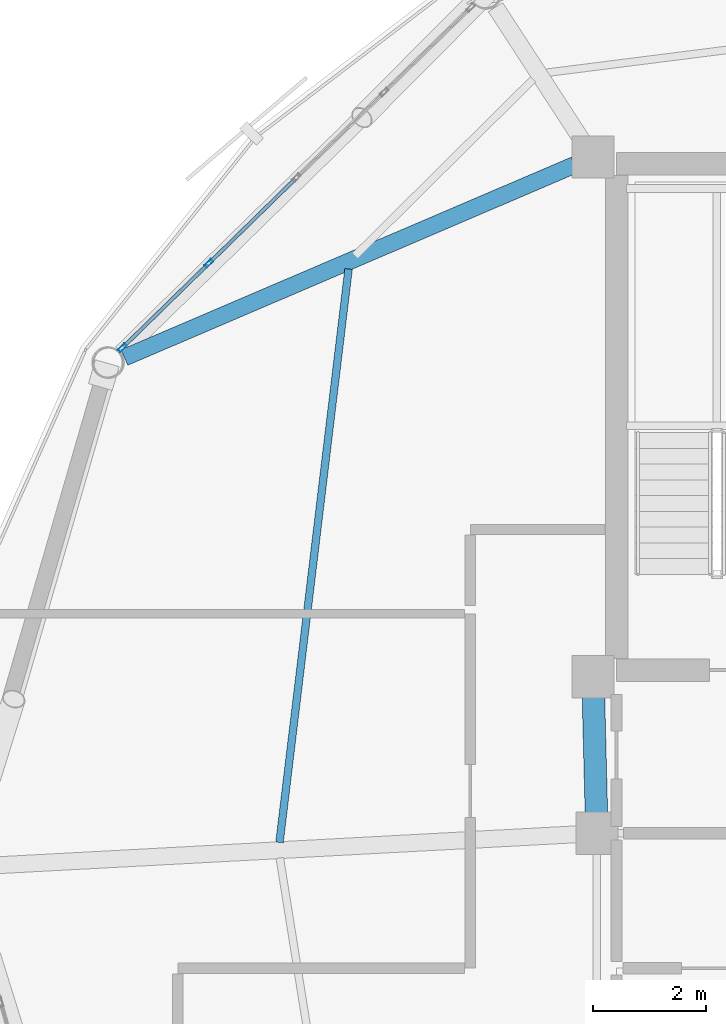
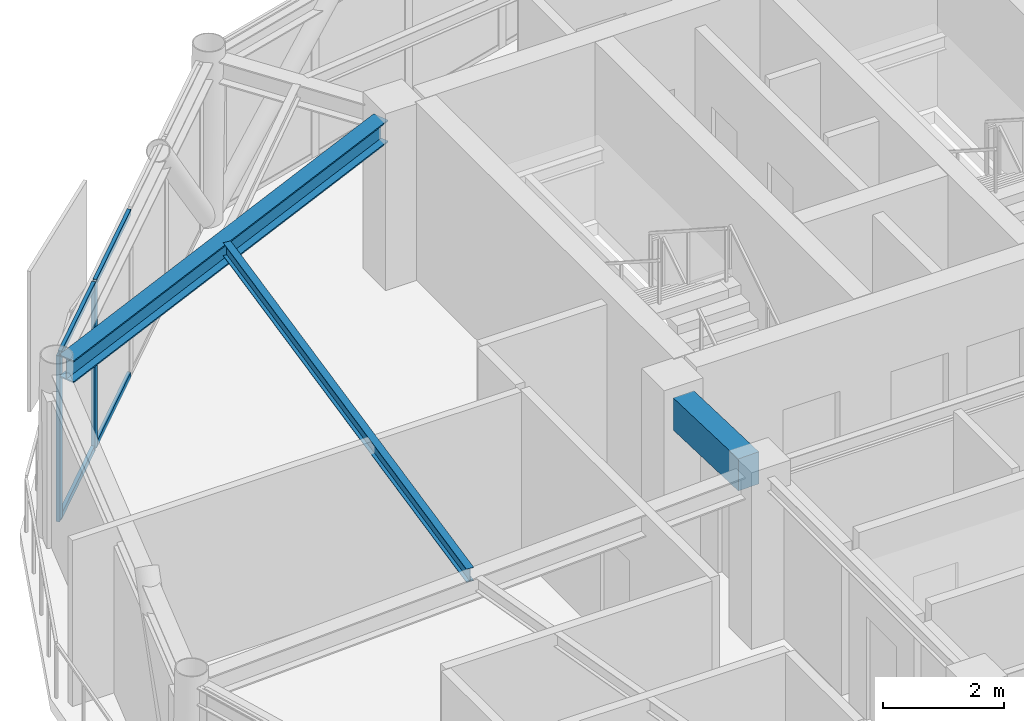
# One storey, part 12 of 27: 6 members, 3 beams, 1 element without a shape of its own.
"""IFC4 building model written with IfcOpenShell, lengths in metres."""

import ifcopenshell
import ifcopenshell.guid

model = None  # the IFC model being written
_history = None  # IfcOwnerHistory: only IFC2X3 demands one
_inside = {}  # id of a spatial element -> (the spatial element, [elements in it])
_under = {}  # id of a project, library or spatial element -> (it, [spatial elements below it])
_declared = {}  # id of a project -> (the project, [libraries it declares])
_typed = {}  # id of a type object -> (the type object, [elements of that type])
_made_of = {}  # id of a material, layer set ... -> (it, [elements and type objects made of it])


def new_model(schema):
    """Start an empty IFC model of exactly this schema.

    Asked for "IFC4X3", IfcOpenShell would pick the latest addendum, in which some entities
    have other attributes; the version numbers below select the first issue.
    IFC2X3 requires an IfcOwnerHistory on every rooted entity: one is made here for all.
    """
    global model, _history
    if schema == "IFC4X3":
        model = ifcopenshell.file(schema_version=(4, 3, 0, 0))
    else:
        model = ifcopenshell.file(schema=schema)
    _inside.clear()
    _under.clear()
    _declared.clear()
    _typed.clear()
    _made_of.clear()
    _history = None
    if model.schema == "IFC2X3":
        org = make("IfcOrganization", Name="unknown")
        user = make(
            "IfcPersonAndOrganization",
            ThePerson=make("IfcPerson", FamilyName="unknown"),
            TheOrganization=org,
        )
        app = make(
            "IfcApplication",
            ApplicationDeveloper=org,
            Version="unknown",
            ApplicationFullName="unknown",
            ApplicationIdentifier="unknown",
        )
        _history = make(
            "IfcOwnerHistory",
            OwningUser=user,
            OwningApplication=app,
            ChangeAction="ADDED",
            CreationDate=0,
        )
    return model


def make(cls, **values):
    """One entity of the class cls with the attributes given. An attribute that is None is left unset."""
    return model.create_entity(
        cls, **{name: value for name, value in values.items() if value is not None}
    )


def rooted(cls, **values):
    """An entity with a GlobalId (a new one), such as an element, a storey or a relation."""
    return make(cls, GlobalId=ifcopenshell.guid.new(), OwnerHistory=_history, **values)


def si_unit(unit_type, name, prefix=None):
    """IfcSIUnit, for example si_unit("LENGTHUNIT", "METRE", prefix="MILLI")."""
    return make("IfcSIUnit", UnitType=unit_type, Prefix=prefix, Name=name)


def assignment(units):
    """IfcUnitAssignment: the units of a project."""
    return None if units is None else make("IfcUnitAssignment", Units=units)


def point(xyz):
    """IfcCartesianPoint."""
    return None if xyz is None else make("IfcCartesianPoint", Coordinates=xyz)


def direction(xyz):
    """IfcDirection."""
    return None if xyz is None else make("IfcDirection", DirectionRatios=xyz)


def frame(location, z_axis=None, x_axis=None):
    """IfcAxis2Placement3D, a coordinate frame: its origin and axes. An axis left out is left unset."""
    return make(
        "IfcAxis2Placement3D",
        Location=point(location),
        Axis=direction(z_axis),
        RefDirection=direction(x_axis),
    )


def frame_2d(location, x_axis=None):
    """IfcAxis2Placement2D, a coordinate frame in the plane: its origin and x axis."""
    return make(
        "IfcAxis2Placement2D", Location=point(location), RefDirection=direction(x_axis)
    )


def origin():
    """The frame at (0, 0, 0) with its axes left unset."""
    return frame((0.0, 0.0, 0.0))


def origin_2d():
    """The frame at (0, 0) in the plane with its x axis left unset."""
    return frame_2d((0.0, 0.0))


def place(relative_to, where):
    """IfcLocalPlacement: puts the frame where relative to a parent placement (None: the world)."""
    return make(
        "IfcLocalPlacement", PlacementRelTo=relative_to, RelativePlacement=where
    )


def context(
    kind, dimensions, precision=None, world=None, true_north=None, identifier=None
):
    """IfcGeometricRepresentationContext, for example the 3D "Model" context."""
    return make(
        "IfcGeometricRepresentationContext",
        ContextIdentifier=identifier,
        ContextType=kind,
        CoordinateSpaceDimension=dimensions,
        Precision=precision,
        WorldCoordinateSystem=world,
        TrueNorth=true_north,
    )


def subcontext(parent, identifier, kind, view, scale=None):
    """IfcGeometricRepresentationSubContext, for example "Body" below "Model"."""
    return make(
        "IfcGeometricRepresentationSubContext",
        ContextIdentifier=identifier,
        ContextType=kind,
        ParentContext=parent,
        TargetScale=scale,
        TargetView=view,
    )


def project(units=None, contexts=None):
    """IfcProject with its units and contexts."""
    return rooted(
        "IfcProject",
        Name="project",
        RepresentationContexts=contexts,
        UnitsInContext=assignment(units),
    )


def spatial(cls, under=None, at=None, **own):
    """A site, building, storey or space (cls), placed at a placement, below another one or the project."""
    s = rooted(cls, ObjectPlacement=at, **own)
    if under is not None:
        _under.setdefault(under.id(), (under, []))[1].append(s)
    return s


def profile(cls, at=None, kind="AREA", **sizes):
    """A parametric profile (cls). Its sizes go by their IFC names, for example OverallWidth=200.0."""
    return make(cls, ProfileType=kind, Position=at, **sizes)


def rectangle(**sizes):
    """IfcRectangleProfileDef."""
    return profile("IfcRectangleProfileDef", **sizes)


def hollow_rectangle(**sizes):
    """IfcRectangleHollowProfileDef."""
    return profile("IfcRectangleHollowProfileDef", **sizes)


def i_section(**sizes):
    """IfcIShapeProfileDef."""
    return profile("IfcIShapeProfileDef", **sizes)


def extrude(swept, where, along, depth):
    """IfcExtrudedAreaSolid: the profile swept, set in the frame where, extruded along a direction by depth."""
    return make(
        "IfcExtrudedAreaSolid",
        SweptArea=swept,
        Position=where,
        ExtrudedDirection=direction(along),
        Depth=depth,
    )


def shape(context_of_items, identifier, shape_type, items):
    """IfcShapeRepresentation: the items that make up one representation, for example the "Body"."""
    return make(
        "IfcShapeRepresentation",
        ContextOfItems=context_of_items,
        RepresentationIdentifier=identifier,
        RepresentationType=shape_type,
        Items=items,
    )


def material(Name=None, Category=None):
    """IfcMaterial."""
    return make("IfcMaterial", Name=Name, Category=Category)


def layer(
    of_material, thickness, ventilated=None, Name=None, Category=None, Priority=None
):
    """IfcMaterialLayer: one layer of a wall or slab, of a material (None: an air gap)."""
    return make(
        "IfcMaterialLayer",
        Material=of_material,
        LayerThickness=thickness,
        IsVentilated=ventilated,
        Name=Name,
        Category=Category,
        Priority=Priority,
    )


def layer_set(layers, Name=None):
    """IfcMaterialLayerSet."""
    return make("IfcMaterialLayerSet", MaterialLayers=layers, LayerSetName=Name)


def material_profile(
    of_material, cross_section, Name=None, Category=None, Priority=None
):
    """IfcMaterialProfile: a cross section and its material."""
    return make(
        "IfcMaterialProfile",
        Name=Name,
        Material=of_material,
        Profile=cross_section,
        Priority=Priority,
        Category=Category,
    )


def profile_set(profiles, Name=None, composite=None):
    """IfcMaterialProfileSet."""
    return make(
        "IfcMaterialProfileSet",
        Name=Name,
        MaterialProfiles=profiles,
        CompositeProfile=composite,
    )


def made_of(thing, what):
    """Note that an element or type object is made of a material, layer set ...; save() writes the relation."""
    if what is not None:
        _made_of.setdefault(what.id(), (what, []))[1].append(thing)
    return thing


def type_object(cls, material=None, **own):
    """A type object (cls), such as IfcWallType, which elements share."""
    return made_of(rooted(cls, **own), material)


def element(
    cls,
    number,
    at=None,
    inside=None,
    cuts=None,
    type_object=None,
    material=None,
    context=None,
    identifier="Body",
    shape_type=None,
    held_by="IfcProductDefinitionShape",
    body=None,
    shapes=None,
    **own,
):
    """One element of the class cls, such as IfcWall. Its Tag is "e" and its number.

    at: its placement. inside: the storey or other place that contains it. cuts: it is an
    opening in that element (IfcRelVoidsElement). A single representation is given by context,
    identifier, shape_type and body (its items); several are given by shapes. held_by: the class
    of the entity that holds the representations. save() writes the other relations.
    """
    e = rooted(cls, Tag="e%d" % number, ObjectPlacement=at, **own)
    if body is not None:
        shapes = [shape(context, identifier, shape_type, body)]
    if shapes is not None:
        e.Representation = make(held_by, Representations=shapes)
    if inside is not None:
        _inside.setdefault(inside.id(), (inside, []))[1].append(e)
    if cuts is not None:
        rooted(
            "IfcRelVoidsElement", RelatingBuildingElement=cuts, RelatedOpeningElement=e
        )
    if type_object is not None:
        _typed.setdefault(type_object.id(), (type_object, []))[1].append(e)
    return made_of(e, material)


def aggregate(whole, parts):
    """IfcRelAggregates: a whole, such as a stair, and the parts it consists of."""
    return rooted("IfcRelAggregates", RelatingObject=whole, RelatedObjects=parts)


def save(model, path):
    """Write the relations noted so far, then the file.

    IfcRelAggregates (storeys below a building ...), IfcRelContainedInSpatialStructure (elements
    in a storey), IfcRelDefinesByType, IfcRelAssociatesMaterial and IfcRelDeclares: one each for
    every whole, place, type object, material and project.
    """
    for whole, parts in _under.values():
        aggregate(whole, parts)
    for where, things in _inside.values():
        rooted(
            "IfcRelContainedInSpatialStructure",
            RelatedElements=things,
            RelatingStructure=where,
        )
    for kind, things in _typed.values():
        rooted("IfcRelDefinesByType", RelatedObjects=things, RelatingType=kind)
    for what, things in _made_of.values():
        rooted("IfcRelAssociatesMaterial", RelatedObjects=things, RelatingMaterial=what)
    for by, libraries in _declared.values():
        rooted("IfcRelDeclares", RelatingContext=by, RelatedDefinitions=libraries)
    model.write(path)


model = new_model("IFC4")

# Units and contexts
model_context = context("Model", 3, precision=1e-05, world=origin(), true_north=direction((0.0, 1.0)))
body_context = subcontext(model_context, "Body", "Model", "MODEL_VIEW")
ifc_project = project(units=[si_unit("LENGTHUNIT", "METRE"), si_unit("AREAUNIT", "SQUARE_METRE"), si_unit("VOLUMEUNIT", "CUBIC_METRE"), si_unit("PLANEANGLEUNIT", "RADIAN"), si_unit("MASSUNIT", "GRAM", prefix="KILO")], contexts=[model_context])

# Site, building, storey
site_placement = place(None, origin())
site = spatial("IfcSite", under=ifc_project, at=site_placement, CompositionType="ELEMENT")
building_placement = place(site_placement, origin())
building = spatial("IfcBuilding", under=site, at=building_placement, Name="Varnakorn Sky Granary", CompositionType="ELEMENT")
storey_placement = place(building_placement, frame((0.0, 0.0, 249.0)))
storey = spatial("IfcBuildingStorey", under=building, at=storey_placement, Name="L63", CompositionType="ELEMENT", Elevation=249.0)

# Beams
ifc_material_1 = material(Name="Concrete C50/60", Category="concrete")
ifc_material_profile_1 = material_profile(ifc_material_1, rectangle(XDim=0.39990234375, YDim=0.64990234375, at=origin_2d()), Name="RC 400x650")
ifc_profile_set_1 = profile_set([ifc_material_profile_1], Name="Concrete C50/60")
beam_type_1 = type_object("IfcBeamType", Name="BM-LIN-650", PredefinedType="LINTEL", material=ifc_profile_set_1)
beam_1_placement = place(storey_placement, frame((-2.4111328125, 3.025146484375, 3.034912109375), z_axis=(0.025227817192, -0.999681727971, 0.0), x_axis=(0.999681727971, 0.025227817192, 0.0)))
element("IfcBeam", 1, at=beam_1_placement, inside=storey, type_object=beam_type_1, Name="Core Spine Framing Beam 1 L63", PredefinedType="LINTEL", context=body_context, shape_type="SweptSolid", body=[
    extrude(rectangle(XDim=0.39990234375, YDim=0.64990234375, at=origin_2d()), origin(), (0.0, 0.0, 1.0), 2.071044921875),
])
ifc_material_2 = material(Name="Steel S355JR", Category="steel")
ifc_material_profile_2 = material_profile(ifc_material_2, i_section(OverallWidth=0.300048828125, OverallDepth=0.449951171875, WebThickness=0.013916015625, FlangeThickness=0.02587890625, at=origin_2d()), Name="HE 450 B")
ifc_profile_set_2 = profile_set([ifc_material_profile_2], Name="Steel S355JR")
beam_type_2 = type_object("IfcBeamType", Name="BM-RAD-Z5", PredefinedType="BEAM", material=ifc_profile_set_2)
beam_2_placement = place(storey_placement, frame((-2.746337890625, 12.480224609375, 3.135009765625), z_axis=(-0.919362524676, -0.393411423603, 0.0), x_axis=(0.393411423603, -0.919362524676, 0.0)))
element("IfcBeam", 2, at=beam_2_placement, inside=storey, type_object=beam_type_2, Name="Radial Floor Girder RG06 L63", PredefinedType="BEAM", context=body_context, shape_type="SweptSolid", body=[
    extrude(i_section(OverallWidth=0.300048828125, OverallDepth=0.449951171875, WebThickness=0.013916015625, FlangeThickness=0.02587890625, at=origin_2d()), origin(), (0.0, 0.0, 1.0), 8.70361328125),
])
ifc_material_profile_3 = material_profile(ifc_material_2, i_section(OverallWidth=0.135009765625, OverallDepth=0.27001953125, WebThickness=0.006591796875, FlangeThickness=0.01025390625, at=origin_2d()), Name="IPE 270")
ifc_profile_set_3 = profile_set([ifc_material_profile_3], Name="Steel S355JR")
beam_type_3 = type_object("IfcBeamType", Name="BM-SEC-Z5", PredefinedType="BEAM", material=ifc_profile_set_3)
beam_3_placement = place(storey_placement, frame((-6.763916015625, 10.629150390625, 3.22509765625), z_axis=(-0.119616882578, -0.992820125401, 0.0), x_axis=(0.992820125401, -0.119616882578, 0.0)))
element("IfcBeam", 3, at=beam_3_placement, inside=storey, type_object=beam_type_3, Name="Secondary Floor Chord Beam MSB06 L63", PredefinedType="BEAM", context=body_context, shape_type="SweptSolid", body=[
    extrude(i_section(OverallWidth=0.135009765625, OverallDepth=0.27001953125, WebThickness=0.006591796875, FlangeThickness=0.01025390625, at=origin_2d()), origin(), (0.0, 0.0, 1.0), 10.266357421875),
])

# Curtain wall, members
ifc_material_3 = material(Name="Anodised Bronze Aluminium Alloy 6063-T6", Category="aluminium")
ifc_layer = layer(ifc_material_3, 0.159912109375, Name="Anodised Bronze Aluminium Alloy 6063-T6")
ifc_layer_set = layer_set([ifc_layer], Name="Anodised Bronze Aluminium Alloy 6063-T6")
curtain_wall_type = type_object("IfcCurtainWallType", Name="CW-OFF-1", PredefinedType="USERDEFINED", material=ifc_layer_set)
curtain_wall_placement = place(storey_placement, origin())
curtain_wall = element("IfcCurtainWall", 4, at=curtain_wall_placement, inside=storey, type_object=curtain_wall_type, Name="Unitised Curtain Wall CW6 CW-L63-B05", ObjectType="CURTAIN WALL", PredefinedType="USERDEFINED")
ifc_material_profile_4 = material_profile(ifc_material_3, hollow_rectangle(XDim=0.06494140625, YDim=0.159912109375, WallThickness=0.00341796875, at=origin_2d()), Name="ALU MULL 65x160")
ifc_profile_set_4 = profile_set([ifc_material_profile_4], Name="Anodised Bronze Aluminium Alloy 6063-T6")
member_type_1 = type_object("IfcMemberType", Name="CW-OFF-1-MULL", PredefinedType="MULLION", material=ifc_profile_set_4)
member_1_placement = place(storey_placement, frame((-10.7841796875, 9.22900390625, 0.0), z_axis=(0.0, 0.0, 1.0), x_axis=(-0.698832913663, 0.71528494936, 0.0)))
member_1 = element("IfcMember", 5, at=member_1_placement, type_object=member_type_1, Name="CW6 mullion 1", PredefinedType="MULLION", context=body_context, shape_type="SweptSolid", body=[
    extrude(hollow_rectangle(XDim=0.06494140625, YDim=0.159912109375, WallThickness=0.00341796875, at=origin_2d()), origin(), (0.0, 0.0, 1.0), 3.360107421875),
])
member_2_placement = place(storey_placement, frame((-9.248779296875, 10.72900390625, 0.0), z_axis=(0.0, 0.0, 1.0), x_axis=(-0.698832913663, 0.71528494936, 0.0)))
member_2 = element("IfcMember", 6, at=member_2_placement, type_object=member_type_1, Name="CW6 mullion 2", PredefinedType="MULLION", context=body_context, shape_type="SweptSolid", body=[
    extrude(hollow_rectangle(XDim=0.06494140625, YDim=0.159912109375, WallThickness=0.00341796875, at=origin_2d()), origin(), (0.0, 0.0, 1.0), 3.360107421875),
])
ifc_material_profile_5 = material_profile(ifc_material_3, hollow_rectangle(XDim=0.06494140625, YDim=0.1201171875, WallThickness=0.00341796875, at=origin_2d()), Name="ALU TRAN 65x120")
ifc_profile_set_5 = profile_set([ifc_material_profile_5], Name="Anodised Bronze Aluminium Alloy 6063-T6")
member_type_2 = type_object("IfcMemberType", Name="CW-OFF-1-TRAN", PredefinedType="USERDEFINED", material=ifc_profile_set_5)
member_3_placement = place(storey_placement, frame((-10.760986328125, 9.251708984375, 0.032470703125), z_axis=(0.715327094579, 0.698789773652, 0.0), x_axis=(-0.698789773652, 0.715327094579, 0.0)))
member_3 = element("IfcMember", 7, at=member_3_placement, type_object=member_type_2, Name="CW6 transom 1.1", ObjectType="TRANSOM", PredefinedType="USERDEFINED", context=body_context, shape_type="SweptSolid", body=[
    extrude(hollow_rectangle(XDim=0.06494140625, YDim=0.1201171875, WallThickness=0.00341796875, at=origin_2d()), origin(), (0.0, 0.0, 1.0), 2.08154296875),
])
member_4_placement = place(storey_placement, frame((-10.760986328125, 9.251708984375, 3.327392578125), z_axis=(0.715327094579, 0.698789773652, 0.0), x_axis=(-0.698789773652, 0.715327094579, 0.0)))
member_4 = element("IfcMember", 8, at=member_4_placement, type_object=member_type_2, Name="CW6 transom 1.2", ObjectType="TRANSOM", PredefinedType="USERDEFINED", context=body_context, shape_type="SweptSolid", body=[
    extrude(hollow_rectangle(XDim=0.06494140625, YDim=0.1201171875, WallThickness=0.00341796875, at=origin_2d()), origin(), (0.0, 0.0, 1.0), 2.08154296875),
])
member_5_placement = place(storey_placement, frame((-9.2255859375, 10.751708984375, 0.032470703125), z_axis=(0.715258040249, 0.698860455212, 0.0), x_axis=(-0.698860455212, 0.715258040249, 0.0)))
member_5 = element("IfcMember", 9, at=member_5_placement, type_object=member_type_2, Name="CW6 transom 2.1", ObjectType="TRANSOM", PredefinedType="USERDEFINED", context=body_context, shape_type="SweptSolid", body=[
    extrude(hollow_rectangle(XDim=0.06494140625, YDim=0.1201171875, WallThickness=0.00341796875, at=origin_2d()), origin(), (0.0, 0.0, 1.0), 2.1142578125),
])
member_6_placement = place(storey_placement, frame((-9.2255859375, 10.751708984375, 3.327392578125), z_axis=(0.715258040249, 0.698860455212, 0.0), x_axis=(-0.698860455212, 0.715258040249, 0.0)))
member_6 = element("IfcMember", 10, at=member_6_placement, type_object=member_type_2, Name="CW6 transom 2.2", ObjectType="TRANSOM", PredefinedType="USERDEFINED", context=body_context, shape_type="SweptSolid", body=[
    extrude(hollow_rectangle(XDim=0.06494140625, YDim=0.1201171875, WallThickness=0.00341796875, at=origin_2d()), origin(), (0.0, 0.0, 1.0), 2.1142578125),
])
aggregate(curtain_wall, [member_1, member_2, member_3, member_4, member_5, member_6])

save(model, "model.ifc")
